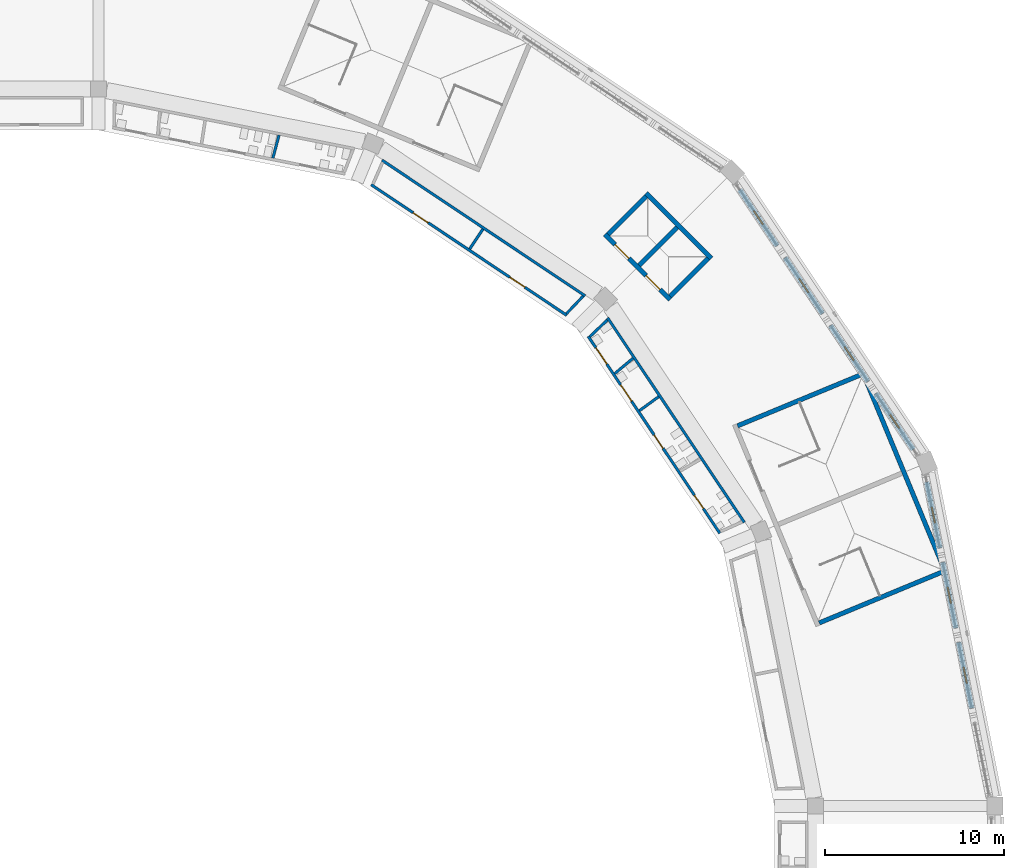
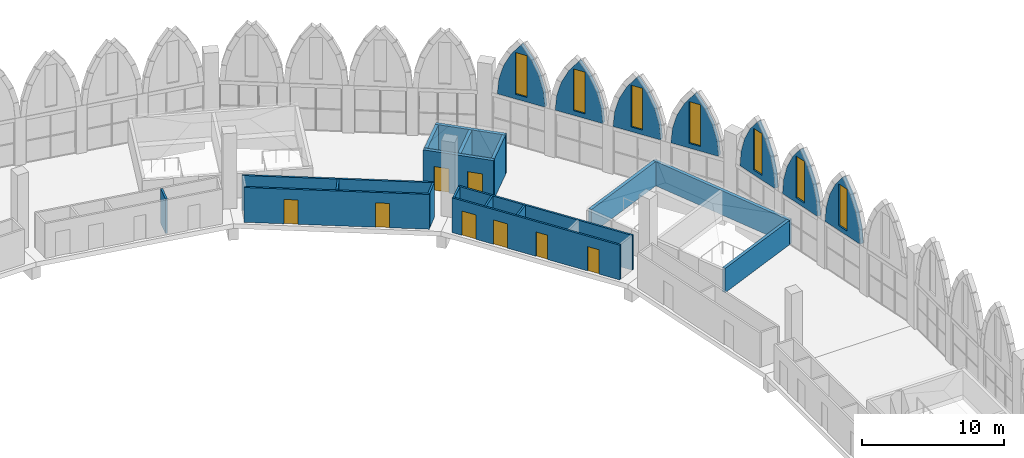
# One storey, part 86 of 130: 25 walls, 8 doors, 7 windows, 15 openings.
"""IFC4 building model written with IfcOpenShell, lengths in metres."""

from ifc_helpers import new_model, si_unit, direction, frame, frame_2d, origin, place, context, subcontext, project, spatial, polyline, rectangle, outline, extrude, material, layer, layer_set, type_object, element, fill, save


model = new_model("IFC4")

# Units and contexts
model_context = context("Model", 3, precision=1e-05, world=origin(), true_north=direction((0.0, 1.0)))
body_context = subcontext(model_context, "Body", "Model", "MODEL_VIEW")
ifc_project = project(units=[si_unit("LENGTHUNIT", "METRE"), si_unit("AREAUNIT", "SQUARE_METRE"), si_unit("VOLUMEUNIT", "CUBIC_METRE"), si_unit("PLANEANGLEUNIT", "RADIAN"), si_unit("MASSUNIT", "GRAM", prefix="KILO")], contexts=[model_context])

# Site, building, storey
site_placement = place(None, origin())
site = spatial("IfcSite", under=ifc_project, at=site_placement, CompositionType="ELEMENT")
building_placement = place(site_placement, origin())
building = spatial("IfcBuilding", under=site, at=building_placement, Name="Ogive Plaza Stadium", CompositionType="ELEMENT")
storey_placement = place(building_placement, frame((0.0, 0.0, 22.5)))
storey = spatial("IfcBuildingStorey", under=building, at=storey_placement, Name="L05", CompositionType="ELEMENT", Elevation=22.5)

# Wall, openings, doors
ifc_material_1 = material(Name="Masonry blockwork", Category="masonry")
ifc_layer_1 = layer(ifc_material_1, 0.14990234375)
ifc_layer_set_1 = layer_set([ifc_layer_1], Name="Blockwork wall 150")
wall_type_1 = type_object("IfcWallType", Name="Blockwork wall 150", PredefinedType="SOLIDWALL", material=ifc_layer_set_1)
wall_1_placement = place(storey_placement, frame((49.214599609375, 87.157958984375, 0.0), z_axis=(0.0, 0.0, 1.0), x_axis=(0.831468390799, -0.555572061125, 0.0)))
wall_1 = element("IfcWall", 1, at=wall_1_placement, inside=storey, type_object=wall_type_1, Name="Wall L05 B38", PredefinedType="SOLIDWALL", context=body_context, shape_type="SweptSolid", body=[
    extrude(rectangle(XDim=13.11328125, YDim=0.14990234375, at=frame_2d((6.556640625, 0.0))), origin(), (0.0, 0.0, 1.0), 3.0),
])
opening_1_placement = place(wall_1_placement, frame((2.81494140625, 0.0, 0.0)))
opening_1 = element("IfcOpeningElement", 2, at=opening_1_placement, cuts=wall_1, Name="Opening D1029", PredefinedType="OPENING", context=body_context, shape_type="SweptSolid", body=[
    extrude(rectangle(XDim=1.0, YDim=2.10009765625, at=frame_2d((0.5, 1.050048828125))), frame((0.0, 0.074951171875, 0.0), z_axis=(0.0, -1.0, 0.0), x_axis=(1.0, 0.0, 0.0)), (0.0, 0.0, 1.0), 0.14990234375),
])
opening_2_placement = place(wall_1_placement, frame((9.298095703125, 0.0, 0.0)))
opening_2 = element("IfcOpeningElement", 3, at=opening_2_placement, cuts=wall_1, Name="Opening D1030", PredefinedType="OPENING", context=body_context, shape_type="SweptSolid", body=[
    extrude(rectangle(XDim=1.0, YDim=2.10009765625, at=frame_2d((0.5, 1.050048828125))), frame((0.0, 0.074951171875, 0.0), z_axis=(0.0, -1.0, 0.0), x_axis=(1.0, 0.0, 0.0)), (0.0, 0.0, 1.0), 0.14990234375),
])
ifc_material_2 = material(Name="Steel ASTM A572 Grade 50", Category="steel")
door_type_1 = type_object("IfcDoorType", Name="Door 1000 x 2100", OperationType="SINGLE_SWING_LEFT", PredefinedType="DOOR", material=ifc_material_2)
door_1_placement = place(opening_1_placement, origin())
door_1 = element("IfcDoor", 4, at=door_1_placement, inside=storey, type_object=door_type_1, Name="Concession Stand B38 door", OperationType="SINGLE_SWING_LEFT", OverallHeight=2.10009765625, OverallWidth=1.0, PredefinedType="DOOR", context=body_context, shape_type="SweptSolid", body=[
    extrude(rectangle(XDim=1.0, YDim=2.10009765625, at=frame_2d((0.5, 1.050048828125))), frame((0.0, 0.02490234375, 0.0), z_axis=(0.0, -1.0, 0.0), x_axis=(1.0, 0.0, 0.0)), (0.0, 0.0, 1.0), 0.050048828125),
])
fill(opening_1, door_1)
door_2_placement = place(opening_2_placement, origin())
door_2 = element("IfcDoor", 5, at=door_2_placement, inside=storey, type_object=door_type_1, Name="Concession Stand B38 door", OperationType="SINGLE_SWING_RIGHT", OverallHeight=2.10009765625, OverallWidth=1.0, PredefinedType="DOOR", context=body_context, shape_type="SweptSolid", body=[
    extrude(rectangle(XDim=1.0, YDim=2.10009765625, at=frame_2d((0.5, 1.050048828125))), frame((0.0, 0.02490234375, 0.0), z_axis=(0.0, -1.0, 0.0), x_axis=(1.0, 0.0, 0.0)), (0.0, 0.0, 1.0), 0.050048828125),
])
fill(opening_2, door_2)

# Walls
wall_2_placement = place(storey_placement, frame((49.815185546875, 88.526123046875, 0.0), z_axis=(0.0, 0.0, 1.0), x_axis=(0.831462899962, -0.555580278616, 0.0)))
element("IfcWall", 6, at=wall_2_placement, inside=storey, type_object=wall_type_1, Name="Wall L05 B38", PredefinedType="SOLIDWALL", context=body_context, shape_type="SweptSolid", body=[
    extrude(rectangle(XDim=13.630859375, YDim=0.14990234375, at=frame_2d((6.8154296875, 0.0))), origin(), (0.0, 0.0, 1.0), 3.0),
])
wall_3_placement = place(storey_placement, frame((54.70703125, 83.576416015625, 0.0), z_axis=(0.0, 0.0, 1.0), x_axis=(0.554402331293, 0.832248793966, 0.0)))
element("IfcWall", 7, at=wall_3_placement, inside=storey, type_object=wall_type_1, Name="Wall L05 B38", PredefinedType="SOLIDWALL", context=body_context, shape_type="SweptSolid", body=[
    extrude(rectangle(XDim=1.32421875, YDim=0.14990234375, at=frame_2d((0.662109375, 0.0))), origin(), (0.0, 0.0, 1.0), 3.0),
])
wall_4_placement = place(storey_placement, frame((60.108154296875, 79.967529296875, 0.0), z_axis=(0.0, 0.0, 1.0), x_axis=(0.688797211472, 0.724954068523, 0.0)))
element("IfcWall", 8, at=wall_4_placement, inside=storey, type_object=wall_type_1, Name="Wall L05 B38", PredefinedType="SOLIDWALL", context=body_context, shape_type="SweptSolid", body=[
    extrude(rectangle(XDim=1.34375, YDim=0.14990234375, at=frame_2d((0.671875, 0.0))), origin(), (0.0, 0.0, 1.0), 3.0),
])
ifc_material_3 = material(Name="Concrete C40/50", Category="concrete")
ifc_layer_2 = layer(ifc_material_3, 0.25)
ifc_layer_set_2 = layer_set([ifc_layer_2], Name="Concrete C40/50")
wall_type_2 = type_object("IfcWallType", Name="Core wall 250", PredefinedType="SHEAR", material=ifc_layer_set_2)
wall_5_placement = place(storey_placement, frame((81.257568359375, 65.499267578125, 0.0), z_axis=(0.0, 0.0, 1.0), x_axis=(-0.382671234792, 0.923884584817, 0.0)))
element("IfcWall", 9, at=wall_5_placement, inside=storey, type_object=wall_type_2, Name="Stair core R40 outer wall", PredefinedType="SHEAR", context=body_context, shape_type="SweptSolid", body=[
    extrude(rectangle(XDim=12.14990234375, YDim=0.25, at=frame_2d((6.074951171875, 0.0))), origin(), (0.0, 0.0, 1.0), 2.10009765625),
])
for number, where, z_axis, x_axis, name in (
    (10, (74.2021484375, 62.712158203125, 0.0), (0.0, 0.0, 1.0), (0.923887204407, 0.382664910245, 0.0), "Stair core R40 side wall"),
    (11, (69.648193359375, 73.706298828125, 0.0), (0.0, 0.0, 1.0), (0.923887204407, 0.382664910245, 0.0), "Stair core R40 side wall"),
):
    element("IfcWall", number, at=place(storey_placement, frame(where, z_axis=z_axis, x_axis=x_axis)), inside=storey, type_object=wall_type_2, Name=name, PredefinedType="SHEAR", context=body_context, shape_type="SweptSolid", body=[
        extrude(rectangle(XDim=7.460205078125, YDim=0.25, at=frame_2d((3.72998046875, 0.0))), origin(), (0.0, 0.0, 1.0), 2.10009765625),
    ])

# Wall, openings, doors
ifc_material_4 = material(Name="Concrete C40/50", Category="concrete")
ifc_layer_3 = layer(ifc_material_4, 0.25)
ifc_layer_set_3 = layer_set([ifc_layer_3], Name="Concrete C40/50")
wall_type_3 = type_object("IfcWallType", Name="Core wall 250 A", PredefinedType="SHEAR", material=ifc_layer_set_3)
wall_6_placement = place(storey_placement, frame((65.890625, 80.7490234375, 0.0), z_axis=(0.0, 0.0, 1.0), x_axis=(-0.707106781187, 0.707106781187, 0.0)))
wall_6 = element("IfcWall", 12, at=wall_6_placement, inside=storey, type_object=wall_type_3, Name="Lift core LP39 landing wall", PredefinedType="SHEAR", context=body_context, shape_type="SweptSolid", body=[
    extrude(rectangle(XDim=5.14990234375, YDim=0.25, at=frame_2d((2.574951171875, 0.0))), origin(), (0.0, 0.0, 1.0), 3.39990234375),
])
opening_3_placement = place(wall_6_placement, frame((0.800048828125, 0.0, 0.0)))
opening_3 = element("IfcOpeningElement", 13, at=opening_3_placement, cuts=wall_6, Name="Opening LD103", PredefinedType="OPENING", context=body_context, shape_type="SweptSolid", body=[
    extrude(rectangle(XDim=1.10009765625, YDim=2.10009765625, at=frame_2d((0.550048828125, 1.050048828125))), frame((0.0, 0.125, 0.0), z_axis=(0.0, -1.0, 0.0), x_axis=(1.0, 0.0, 0.0)), (0.0, 0.0, 1.0), 0.25),
])
opening_4_placement = place(wall_6_placement, frame((3.25, 0.0, 0.0)))
opening_4 = element("IfcOpeningElement", 14, at=opening_4_placement, cuts=wall_6, Name="Opening LD104", PredefinedType="OPENING", context=body_context, shape_type="SweptSolid", body=[
    extrude(rectangle(XDim=1.10009765625, YDim=2.10009765625, at=frame_2d((0.550048828125, 1.050048828125))), frame((0.0, 0.125, 0.0), z_axis=(0.0, -1.0, 0.0), x_axis=(1.0, 0.0, 0.0)), (0.0, 0.0, 1.0), 0.25),
])
ifc_material_5 = material(Name="Steel ASTM A572 Grade 50", Category="steel")
door_type_2 = type_object("IfcDoorType", Name="Landing door 1100 x 2100", OperationType="SLIDING_TO_LEFT", PredefinedType="DOOR", material=ifc_material_5)
door_3_placement = place(opening_3_placement, origin())
door_3 = element("IfcDoor", 15, at=door_3_placement, inside=storey, type_object=door_type_2, Name="Lift landing door LP39 L05", OperationType="SLIDING_TO_LEFT", OverallHeight=2.10009765625, OverallWidth=1.10009765625, PredefinedType="DOOR", context=body_context, shape_type="SweptSolid", body=[
    extrude(rectangle(XDim=1.10009765625, YDim=2.10009765625, at=frame_2d((0.550048828125, 1.050048828125))), frame((0.0, 0.02490234375, 0.0), z_axis=(0.0, -1.0, 0.0), x_axis=(1.0, 0.0, 0.0)), (0.0, 0.0, 1.0), 0.050048828125),
])
fill(opening_3, door_3)
door_4_placement = place(opening_4_placement, origin())
door_4 = element("IfcDoor", 16, at=door_4_placement, inside=storey, type_object=door_type_2, Name="Lift landing door LP39 L05", OperationType="SLIDING_TO_LEFT", OverallHeight=2.10009765625, OverallWidth=1.10009765625, PredefinedType="DOOR", context=body_context, shape_type="SweptSolid", body=[
    extrude(rectangle(XDim=1.10009765625, YDim=2.10009765625, at=frame_2d((0.550048828125, 1.050048828125))), frame((0.0, 0.02490234375, 0.0), z_axis=(0.0, -1.0, 0.0), x_axis=(1.0, 0.0, 0.0)), (0.0, 0.0, 1.0), 0.050048828125),
])
fill(opening_4, door_4)

# Walls
wall_7_placement = place(storey_placement, frame((68.188720703125, 83.047119140625, 0.0), z_axis=(0.0, 0.0, 1.0), x_axis=(-0.707106781187, 0.707106781187, 0.0)))
element("IfcWall", 17, at=wall_7_placement, inside=storey, type_object=wall_type_3, Name="Lift core LP39 rear wall", PredefinedType="SHEAR", context=body_context, shape_type="SweptSolid", body=[
    extrude(rectangle(XDim=5.14990234375, YDim=0.25, at=frame_2d((2.574951171875, 0.0))), origin(), (0.0, 0.0, 1.0), 3.39990234375),
])
for number, where, z_axis, x_axis, name in (
    (18, (65.890625, 80.92578125, 0.0), (0.0, 0.0, 1.0), (0.707066087907, 0.707147472125, 0.0), "Lift core LP39 side wall"),
    (19, (62.42578125, 84.390625, 0.0), (0.0, 0.0, 1.0), (0.707147472125, 0.707066087907, 0.0), "Lift core LP39 side wall"),
):
    element("IfcWall", number, at=place(storey_placement, frame(where, z_axis=z_axis, x_axis=x_axis)), inside=storey, type_object=wall_type_3, Name=name, PredefinedType="SHEAR", context=body_context, shape_type="SweptSolid", body=[
        extrude(rectangle(XDim=2.999755859375, YDim=0.25, at=frame_2d((1.5, 0.0))), origin(), (0.0, 0.0, 1.0), 3.39990234375),
    ])
wall_8_placement = place(storey_placement, frame((64.158203125, 82.658203125, 0.0), z_axis=(0.0, 0.0, 1.0), x_axis=(0.707106781187, 0.707106781187, 0.0)))
element("IfcWall", 20, at=wall_8_placement, inside=storey, type_object=wall_type_3, Name="Lift core LP39 centre wall", PredefinedType="SHEAR", context=body_context, shape_type="SweptSolid", body=[
    extrude(rectangle(XDim=3.0, YDim=0.25, at=frame_2d((1.5, 0.0))), origin(), (0.0, 0.0, 1.0), 3.39990234375),
])
ifc_material_6 = material(Name="Gypsum board partition", Category="gypsum")
ifc_layer_4 = layer(ifc_material_6, 0.14990234375)
ifc_layer_set_4 = layer_set([ifc_layer_4], Name="Partition 150")
wall_type_4 = type_object("IfcWallType", Name="Partition 150", PredefinedType="PARTITIONING", material=ifc_layer_set_4)
wall_9_placement = place(storey_placement, frame((43.72412109375, 88.640625, 0.0), z_axis=(0.0, 0.0, 1.0), x_axis=(0.259768941127, 0.965670801684, 0.0)))
element("IfcWall", 21, at=wall_9_placement, inside=storey, type_object=wall_type_4, Name="Wall L05 B37", PredefinedType="PARTITIONING", context=body_context, shape_type="SweptSolid", body=[
    extrude(rectangle(XDim=1.3271484375, YDim=0.14990234375, at=frame_2d((0.66357421875, 0.0))), origin(), (0.0, 0.0, 1.0), 3.0),
])

# Wall, openings, doors
wall_10_placement = place(storey_placement, frame((68.657958984375, 67.714599609375, 0.0), z_axis=(0.0, 0.0, 1.0), x_axis=(-0.555570028225, 0.831469749142, 0.0)))
wall_10 = element("IfcWall", 22, at=wall_10_placement, inside=storey, type_object=wall_type_4, Name="Wall L05 B39", PredefinedType="PARTITIONING", context=body_context, shape_type="SweptSolid", body=[
    extrude(rectangle(XDim=13.208740234375, YDim=0.14990234375, at=frame_2d((6.6044921875, 0.0))), origin(), (0.0, 0.0, 1.0), 3.0),
])
opening_5_placement = place(wall_10_placement, frame((1.648193359375, 0.0, 0.0)))
opening_5 = element("IfcOpeningElement", 23, at=opening_5_placement, cuts=wall_10, Name="Opening D1031", PredefinedType="OPENING", context=body_context, shape_type="SweptSolid", body=[
    extrude(rectangle(XDim=0.89990234375, YDim=2.10009765625, at=frame_2d((0.449951171875, 1.050048828125))), frame((0.0, 0.074951171875, 0.0), z_axis=(0.0, -1.0, 0.0), x_axis=(1.0, 0.0, 0.0)), (0.0, 0.0, 1.0), 0.14990234375),
])
opening_6_placement = place(wall_10_placement, frame((5.697265625, 0.0, 0.0)))
opening_6 = element("IfcOpeningElement", 24, at=opening_6_placement, cuts=wall_10, Name="Opening D1032", PredefinedType="OPENING", context=body_context, shape_type="SweptSolid", body=[
    extrude(rectangle(XDim=0.89990234375, YDim=2.10009765625, at=frame_2d((0.449951171875, 1.050048828125))), frame((0.0, 0.074951171875, 0.0), z_axis=(0.0, -1.0, 0.0), x_axis=(1.0, 0.0, 0.0)), (0.0, 0.0, 1.0), 0.14990234375),
])
opening_7_placement = place(wall_10_placement, frame((8.862548828125, 0.0, 0.0)))
opening_7 = element("IfcOpeningElement", 25, at=opening_7_placement, cuts=wall_10, Name="Opening D1033", PredefinedType="OPENING", context=body_context, shape_type="SweptSolid", body=[
    extrude(rectangle(XDim=1.10009765625, YDim=2.10009765625, at=frame_2d((0.550048828125, 1.050048828125))), frame((0.0, 0.074951171875, 0.0), z_axis=(0.0, -1.0, 0.0), x_axis=(1.0, 0.0, 0.0)), (0.0, 0.0, 1.0), 0.14990234375),
])
opening_8_placement = place(wall_10_placement, frame((11.344482421875, 0.0, 0.0)))
opening_8 = element("IfcOpeningElement", 26, at=opening_8_placement, cuts=wall_10, Name="Opening D1034", PredefinedType="OPENING", context=body_context, shape_type="SweptSolid", body=[
    extrude(rectangle(XDim=1.10009765625, YDim=2.10009765625, at=frame_2d((0.550048828125, 1.050048828125))), frame((0.0, 0.074951171875, 0.0), z_axis=(0.0, -1.0, 0.0), x_axis=(1.0, 0.0, 0.0)), (0.0, 0.0, 1.0), 0.14990234375),
])
ifc_material_7 = material(Name="Steel ASTM A572 Grade 50", Category="steel")
door_type_3 = type_object("IfcDoorType", Name="Accessible door 1100 x 2100", OperationType="SINGLE_SWING_LEFT", PredefinedType="DOOR", material=ifc_material_7)
door_5_placement = place(opening_7_placement, origin())
door_5 = element("IfcDoor", 27, at=door_5_placement, inside=storey, type_object=door_type_3, Name="Accessible WC B39 door", OperationType="SINGLE_SWING_LEFT", OverallHeight=2.10009765625, OverallWidth=1.10009765625, PredefinedType="DOOR", context=body_context, shape_type="SweptSolid", body=[
    extrude(rectangle(XDim=1.10009765625, YDim=2.10009765625, at=frame_2d((0.550048828125, 1.050048828125))), frame((0.0, 0.02490234375, 0.0), z_axis=(0.0, -1.0, 0.0), x_axis=(1.0, 0.0, 0.0)), (0.0, 0.0, 1.0), 0.050048828125),
])
fill(opening_7, door_5)
door_6_placement = place(opening_8_placement, origin())
door_6 = element("IfcDoor", 28, at=door_6_placement, inside=storey, type_object=door_type_3, Name="Family WC B39 door", OperationType="SINGLE_SWING_LEFT", OverallHeight=2.10009765625, OverallWidth=1.10009765625, PredefinedType="DOOR", context=body_context, shape_type="SweptSolid", body=[
    extrude(rectangle(XDim=1.10009765625, YDim=2.10009765625, at=frame_2d((0.550048828125, 1.050048828125))), frame((0.0, 0.02490234375, 0.0), z_axis=(0.0, -1.0, 0.0), x_axis=(1.0, 0.0, 0.0)), (0.0, 0.0, 1.0), 0.050048828125),
])
fill(opening_8, door_6)
ifc_material_8 = material(Name="Steel ASTM A572 Grade 50", Category="steel")
door_type_4 = type_object("IfcDoorType", Name="Door 900 x 2100", OperationType="SINGLE_SWING_LEFT", PredefinedType="DOOR", material=ifc_material_8)
door_7_placement = place(opening_5_placement, origin())
door_7 = element("IfcDoor", 29, at=door_7_placement, inside=storey, type_object=door_type_4, Name="Men's Toilet B39 door", OperationType="SINGLE_SWING_RIGHT", OverallHeight=2.10009765625, OverallWidth=0.89990234375, PredefinedType="DOOR", context=body_context, shape_type="SweptSolid", body=[
    extrude(rectangle(XDim=0.89990234375, YDim=2.10009765625, at=frame_2d((0.449951171875, 1.050048828125))), frame((0.0, 0.02490234375, 0.0), z_axis=(0.0, -1.0, 0.0), x_axis=(1.0, 0.0, 0.0)), (0.0, 0.0, 1.0), 0.050048828125),
])
fill(opening_5, door_7)
door_8_placement = place(opening_6_placement, origin())
door_8 = element("IfcDoor", 30, at=door_8_placement, inside=storey, type_object=door_type_4, Name="Women's Toilet B39 door", OperationType="SINGLE_SWING_LEFT", OverallHeight=2.10009765625, OverallWidth=0.89990234375, PredefinedType="DOOR", context=body_context, shape_type="SweptSolid", body=[
    extrude(rectangle(XDim=0.89990234375, YDim=2.10009765625, at=frame_2d((0.449951171875, 1.050048828125))), frame((0.0, 0.02490234375, 0.0), z_axis=(0.0, -1.0, 0.0), x_axis=(1.0, 0.0, 0.0)), (0.0, 0.0, 1.0), 0.050048828125),
])
fill(opening_6, door_8)

# Walls
wall_11_placement = place(storey_placement, frame((70.026123046875, 68.315185546875, 0.0), z_axis=(0.0, 0.0, 1.0), x_axis=(-0.555573905052, 0.831467158717, 0.0)))
element("IfcWall", 31, at=wall_11_placement, inside=storey, type_object=wall_type_4, Name="Wall L05 B39", PredefinedType="PARTITIONING", context=body_context, shape_type="SweptSolid", body=[
    extrude(rectangle(XDim=13.730224609375, YDim=0.14990234375, at=frame_2d((6.865234375, 0.0))), origin(), (0.0, 0.0, 1.0), 3.0),
])
wall_12_placement = place(storey_placement, frame((64.177490234375, 74.552734375, 0.0), z_axis=(0.0, 0.0, 1.0), x_axis=(0.807323605105, 0.59010897014, 0.0)))
element("IfcWall", 32, at=wall_12_placement, inside=storey, type_object=wall_type_4, Name="Wall L05 B39", PredefinedType="PARTITIONING", context=body_context, shape_type="SweptSolid", body=[
    extrude(rectangle(XDim=1.3251953125, YDim=0.14990234375, at=frame_2d((0.66259765625, 0.0))), origin(), (0.0, 0.0, 1.0), 3.0),
])
wall_13_placement = place(storey_placement, frame((62.7958984375, 76.620361328125, 0.0), z_axis=(0.0, 0.0, 1.0), x_axis=(0.766596080784, 0.642129620035, 0.0)))
element("IfcWall", 33, at=wall_13_placement, inside=storey, type_object=wall_type_4, Name="Wall L05 B39", PredefinedType="PARTITIONING", context=body_context, shape_type="SweptSolid", body=[
    extrude(rectangle(XDim=1.331787109375, YDim=0.14990234375, at=frame_2d((0.666015625, 0.0))), origin(), (0.0, 0.0, 1.0), 3.0),
])
wall_14_placement = place(storey_placement, frame((61.414306640625, 78.687744140625, 0.0), z_axis=(0.0, 0.0, 1.0), x_axis=(0.723174104738, 0.690665776072, 0.0)))
element("IfcWall", 34, at=wall_14_placement, inside=storey, type_object=wall_type_4, Name="Wall L05 B39", PredefinedType="PARTITIONING", context=body_context, shape_type="SweptSolid", body=[
    extrude(rectangle(XDim=1.34423828125, YDim=0.14990234375, at=frame_2d((0.672119140625, 0.0))), origin(), (0.0, 0.0, 1.0), 3.0),
])

# Wall, opening, window
ifc_material_9 = material(Name="Concrete C45/55 precast", Category="concrete")
ifc_layer_5 = layer(ifc_material_9, 0.25)
ifc_material_10 = material(Name="Cast stone (reconstituted limestone)", Category="masonry")
ifc_layer_6 = layer(ifc_material_10, 0.050048828125)
ifc_layer_set_5 = layer_set([ifc_layer_5, ifc_layer_6], Name="Concrete C45/55 precast, cast stone facing")
wall_type_5 = type_object("IfcWallType", Name="Tympanum wall 300", PredefinedType="SOLIDWALL", material=ifc_layer_set_5)
wall_15_placement = place(storey_placement, frame((69.76708984375, 86.879150390625, 4.10009765625), z_axis=(0.0, 0.0, 1.0), x_axis=(0.555554703021, -0.831479988906, 0.0)))
wall_15 = element("IfcWall", 35, at=wall_15_placement, inside=storey, type_object=wall_type_5, Name="TYMPANUM B39 1", PredefinedType="SOLIDWALL", context=body_context, shape_type="SweptSolid", body=[
    extrude(outline(polyline([(0.0, 0.0), (3.7568359375, 0.0), (3.757080078125, 0.0498046875), (3.634521484375, 1.311279296875), (3.270751953125, 2.5771484375), (2.678466796875, 3.753662109375), (1.878662109375, 4.7998046875), (1.07861328125, 3.753662109375), (0.486328125, 2.5771484375), (0.12255859375, 1.311279296875), (0.0, 0.0498046875), (0.0, 0.0)])), frame((0.0, 0.14990234375, 0.0), z_axis=(0.0, -1.0, 0.0), x_axis=(1.0, 0.0, 0.0)), (0.0, 0.0, 1.0), 0.300048828125),
])
opening_9_placement = place(wall_15_placement, frame((1.428466796875, 0.0, 0.39990234375)))
opening_9 = element("IfcOpeningElement", 36, at=opening_9_placement, cuts=wall_15, Name="Opening W-39-1", PredefinedType="OPENING", context=body_context, shape_type="SweptSolid", body=[
    extrude(rectangle(XDim=0.89990234375, YDim=3.60009765625, at=frame_2d((0.449951171875, 1.800048828125))), frame((0.0, 0.16015625, 0.0), z_axis=(0.0, -1.0, 0.0), x_axis=(1.0, 0.0, 0.0)), (0.0, 0.0, 1.0), 0.320068359375),
])
ifc_material_11 = material(Name="Bronze-anodised aluminium and laminated glass", Category="aluminium")
window_type = type_object("IfcWindowType", Name="Lancet window 900 x 3600", PartitioningType="SINGLE_PANEL", PredefinedType="WINDOW", material=ifc_material_11)
window_1_placement = place(opening_9_placement, origin())
window_1 = element("IfcWindow", 37, at=window_1_placement, inside=storey, type_object=window_type, Name="LANCET WINDOW B39 1", OverallHeight=3.60009765625, OverallWidth=0.89990234375, PartitioningType="SINGLE_PANEL", PredefinedType="WINDOW", context=body_context, shape_type="SweptSolid", body=[
    extrude(rectangle(XDim=0.89990234375, YDim=3.60009765625, at=frame_2d((0.449951171875, 1.800048828125))), frame((0.0, 0.030029296875, 0.0), z_axis=(0.0, -1.0, 0.0), x_axis=(1.0, 0.0, 0.0)), (0.0, 0.0, 1.0), 0.06005859375),
])
fill(opening_9, window_1)

wall_16_placement = place(storey_placement, frame((72.298828125, 83.090087890625, 4.10009765625), z_axis=(0.0, 0.0, 1.0), x_axis=(0.555599628384, -0.831449970196, 0.0)))
wall_16 = element("IfcWall", 38, at=wall_16_placement, inside=storey, type_object=wall_type_5, Name="TYMPANUM B39 2", PredefinedType="SOLIDWALL", context=body_context, shape_type="SweptSolid", body=[
    extrude(outline(polyline([(0.0, 0.0), (3.757080078125, 0.0), (3.757080078125, 0.0498046875), (3.634521484375, 1.311279296875), (3.270751953125, 2.5771484375), (2.678466796875, 3.753662109375), (1.878662109375, 4.7998046875), (1.07861328125, 3.753662109375), (0.486328125, 2.5771484375), (0.12255859375, 1.311279296875), (0.0, 0.0498046875), (0.0, 0.0)])), frame((0.0, 0.14990234375, 0.0), z_axis=(0.0, -1.0, 0.0), x_axis=(1.0, 0.0, 0.0)), (0.0, 0.0, 1.0), 0.300048828125),
])
opening_10_placement = place(wall_16_placement, frame((1.428466796875, 0.0, 0.39990234375)))
opening_10 = element("IfcOpeningElement", 39, at=opening_10_placement, cuts=wall_16, Name="Opening W-39-2", PredefinedType="OPENING", context=body_context, shape_type="SweptSolid", body=[
    extrude(rectangle(XDim=0.89990234375, YDim=3.60009765625, at=frame_2d((0.449951171875, 1.800048828125))), frame((0.0, 0.16015625, 0.0), z_axis=(0.0, -1.0, 0.0), x_axis=(1.0, 0.0, 0.0)), (0.0, 0.0, 1.0), 0.320068359375),
])
window_2_placement = place(opening_10_placement, origin())
window_2 = element("IfcWindow", 40, at=window_2_placement, inside=storey, type_object=window_type, Name="LANCET WINDOW B39 2", OverallHeight=3.60009765625, OverallWidth=0.89990234375, PartitioningType="SINGLE_PANEL", PredefinedType="WINDOW", context=body_context, shape_type="SweptSolid", body=[
    extrude(rectangle(XDim=0.89990234375, YDim=3.60009765625, at=frame_2d((0.449951171875, 1.800048828125))), frame((0.0, 0.030029296875, 0.0), z_axis=(0.0, -1.0, 0.0), x_axis=(1.0, 0.0, 0.0)), (0.0, 0.0, 1.0), 0.06005859375),
])
fill(opening_10, window_2)

wall_17_placement = place(storey_placement, frame((74.83056640625, 79.301025390625, 4.10009765625), z_axis=(0.0, 0.0, 1.0), x_axis=(0.555599628384, -0.831449970196, 0.0)))
wall_17 = element("IfcWall", 41, at=wall_17_placement, inside=storey, type_object=wall_type_5, Name="TYMPANUM B39 3", PredefinedType="SOLIDWALL", context=body_context, shape_type="SweptSolid", body=[
    extrude(outline(polyline([(0.0, 0.0), (3.757080078125, 0.0), (3.757080078125, 0.0498046875), (3.634521484375, 1.311279296875), (3.270751953125, 2.5771484375), (2.678466796875, 3.753662109375), (1.878662109375, 4.7998046875), (1.07861328125, 3.753662109375), (0.486328125, 2.5771484375), (0.12255859375, 1.311279296875), (0.0, 0.0498046875), (0.0, 0.0)])), frame((0.0, 0.14990234375, 0.0), z_axis=(0.0, -1.0, 0.0), x_axis=(1.0, 0.0, 0.0)), (0.0, 0.0, 1.0), 0.300048828125),
])
opening_11_placement = place(wall_17_placement, frame((1.428466796875, 0.0, 0.39990234375)))
opening_11 = element("IfcOpeningElement", 42, at=opening_11_placement, cuts=wall_17, Name="Opening W-39-3", PredefinedType="OPENING", context=body_context, shape_type="SweptSolid", body=[
    extrude(rectangle(XDim=0.89990234375, YDim=3.60009765625, at=frame_2d((0.449951171875, 1.800048828125))), frame((0.0, 0.16015625, 0.0), z_axis=(0.0, -1.0, 0.0), x_axis=(1.0, 0.0, 0.0)), (0.0, 0.0, 1.0), 0.320068359375),
])
window_3_placement = place(opening_11_placement, origin())
window_3 = element("IfcWindow", 43, at=window_3_placement, inside=storey, type_object=window_type, Name="LANCET WINDOW B39 3", OverallHeight=3.60009765625, OverallWidth=0.89990234375, PartitioningType="SINGLE_PANEL", PredefinedType="WINDOW", context=body_context, shape_type="SweptSolid", body=[
    extrude(rectangle(XDim=0.89990234375, YDim=3.60009765625, at=frame_2d((0.449951171875, 1.800048828125))), frame((0.0, 0.030029296875, 0.0), z_axis=(0.0, -1.0, 0.0), x_axis=(1.0, 0.0, 0.0)), (0.0, 0.0, 1.0), 0.06005859375),
])
fill(opening_11, window_3)

wall_18_placement = place(storey_placement, frame((77.3623046875, 75.511962890625, 4.10009765625), z_axis=(0.0, 0.0, 1.0), x_axis=(0.555599628384, -0.831449970196, 0.0)))
wall_18 = element("IfcWall", 44, at=wall_18_placement, inside=storey, type_object=wall_type_5, Name="TYMPANUM B39 4", PredefinedType="SOLIDWALL", context=body_context, shape_type="SweptSolid", body=[
    extrude(outline(polyline([(0.0, 0.0), (3.757080078125, 0.0), (3.757080078125, 0.0498046875), (3.634521484375, 1.311279296875), (3.270751953125, 2.5771484375), (2.678466796875, 3.753662109375), (1.878662109375, 4.7998046875), (1.07861328125, 3.753662109375), (0.486328125, 2.5771484375), (0.12255859375, 1.311279296875), (0.0, 0.0498046875), (0.0, 0.0)])), frame((0.0, 0.14990234375, 0.0), z_axis=(0.0, -1.0, 0.0), x_axis=(1.0, 0.0, 0.0)), (0.0, 0.0, 1.0), 0.300048828125),
])
opening_12_placement = place(wall_18_placement, frame((1.428466796875, 0.0, 0.39990234375)))
opening_12 = element("IfcOpeningElement", 45, at=opening_12_placement, cuts=wall_18, Name="Opening W-39-4", PredefinedType="OPENING", context=body_context, shape_type="SweptSolid", body=[
    extrude(rectangle(XDim=0.89990234375, YDim=3.60009765625, at=frame_2d((0.449951171875, 1.800048828125))), frame((0.0, 0.16015625, 0.0), z_axis=(0.0, -1.0, 0.0), x_axis=(1.0, 0.0, 0.0)), (0.0, 0.0, 1.0), 0.320068359375),
])
window_4_placement = place(opening_12_placement, origin())
window_4 = element("IfcWindow", 46, at=window_4_placement, inside=storey, type_object=window_type, Name="LANCET WINDOW B39 4", OverallHeight=3.60009765625, OverallWidth=0.89990234375, PartitioningType="SINGLE_PANEL", PredefinedType="WINDOW", context=body_context, shape_type="SweptSolid", body=[
    extrude(rectangle(XDim=0.89990234375, YDim=3.60009765625, at=frame_2d((0.449951171875, 1.800048828125))), frame((0.0, 0.030029296875, 0.0), z_axis=(0.0, -1.0, 0.0), x_axis=(1.0, 0.0, 0.0)), (0.0, 0.0, 1.0), 0.06005859375),
])
fill(opening_12, window_4)

wall_19_placement = place(storey_placement, frame((80.20068359375, 70.57470703125, 4.10009765625), z_axis=(0.0, 0.0, 1.0), x_axis=(0.195141306446, -0.980775137592, 0.0)))
wall_19 = element("IfcWall", 47, at=wall_19_placement, inside=storey, type_object=wall_type_5, Name="TYMPANUM B40 1", PredefinedType="SOLIDWALL", context=body_context, shape_type="SweptSolid", body=[
    extrude(outline(polyline([(0.0, 0.0), (3.757080078125, 0.0), (3.757080078125, 0.0498046875), (3.634521484375, 1.311279296875), (3.270751953125, 2.5771484375), (2.678466796875, 3.753662109375), (1.878662109375, 4.7998046875), (1.07861328125, 3.753662109375), (0.486328125, 2.5771484375), (0.12255859375, 1.311279296875), (0.0, 0.0498046875), (0.0, 0.0)])), frame((0.0, 0.14990234375, 0.0), z_axis=(0.0, -1.0, 0.0), x_axis=(1.0, 0.0, 0.0)), (0.0, 0.0, 1.0), 0.300048828125),
])
opening_13_placement = place(wall_19_placement, frame((1.428466796875, 0.0, 0.39990234375)))
opening_13 = element("IfcOpeningElement", 48, at=opening_13_placement, cuts=wall_19, Name="Opening W-40-1", PredefinedType="OPENING", context=body_context, shape_type="SweptSolid", body=[
    extrude(rectangle(XDim=0.89990234375, YDim=3.60009765625, at=frame_2d((0.449951171875, 1.800048828125))), frame((0.0, 0.16015625, 0.0), z_axis=(0.0, -1.0, 0.0), x_axis=(1.0, 0.0, 0.0)), (0.0, 0.0, 1.0), 0.320068359375),
])
window_5_placement = place(opening_13_placement, origin())
window_5 = element("IfcWindow", 49, at=window_5_placement, inside=storey, type_object=window_type, Name="LANCET WINDOW B40 1", OverallHeight=3.60009765625, OverallWidth=0.89990234375, PartitioningType="SINGLE_PANEL", PredefinedType="WINDOW", context=body_context, shape_type="SweptSolid", body=[
    extrude(rectangle(XDim=0.89990234375, YDim=3.60009765625, at=frame_2d((0.449951171875, 1.800048828125))), frame((0.0, 0.030029296875, 0.0), z_axis=(0.0, -1.0, 0.0), x_axis=(1.0, 0.0, 0.0)), (0.0, 0.0, 1.0), 0.06005859375),
])
fill(opening_13, window_5)

wall_20_placement = place(storey_placement, frame((81.08984375, 66.105224609375, 4.10009765625), z_axis=(0.0, 0.0, 1.0), x_axis=(0.195078797665, -0.980787572669, 0.0)))
wall_20 = element("IfcWall", 50, at=wall_20_placement, inside=storey, type_object=wall_type_5, Name="TYMPANUM B40 2", PredefinedType="SOLIDWALL", context=body_context, shape_type="SweptSolid", body=[
    extrude(outline(polyline([(0.0, 0.0), (3.757080078125, 0.0), (3.757080078125, 0.0498046875), (3.634521484375, 1.311279296875), (3.270751953125, 2.5771484375), (2.678466796875, 3.753662109375), (1.878662109375, 4.7998046875), (1.07861328125, 3.753662109375), (0.486328125, 2.5771484375), (0.12255859375, 1.311279296875), (0.0, 0.0498046875), (0.0, 0.0)])), frame((0.0, 0.14990234375, 0.0), z_axis=(0.0, -1.0, 0.0), x_axis=(1.0, 0.0, 0.0)), (0.0, 0.0, 1.0), 0.300048828125),
])
opening_14_placement = place(wall_20_placement, frame((1.428466796875, 0.0, 0.39990234375)))
opening_14 = element("IfcOpeningElement", 51, at=opening_14_placement, cuts=wall_20, Name="Opening W-40-2", PredefinedType="OPENING", context=body_context, shape_type="SweptSolid", body=[
    extrude(rectangle(XDim=0.89990234375, YDim=3.60009765625, at=frame_2d((0.449951171875, 1.800048828125))), frame((0.0, 0.16015625, 0.0), z_axis=(0.0, -1.0, 0.0), x_axis=(1.0, 0.0, 0.0)), (0.0, 0.0, 1.0), 0.320068359375),
])
window_6_placement = place(opening_14_placement, origin())
window_6 = element("IfcWindow", 52, at=window_6_placement, inside=storey, type_object=window_type, Name="LANCET WINDOW B40 2", OverallHeight=3.60009765625, OverallWidth=0.89990234375, PartitioningType="SINGLE_PANEL", PredefinedType="WINDOW", context=body_context, shape_type="SweptSolid", body=[
    extrude(rectangle(XDim=0.89990234375, YDim=3.60009765625, at=frame_2d((0.449951171875, 1.800048828125))), frame((0.0, 0.030029296875, 0.0), z_axis=(0.0, -1.0, 0.0), x_axis=(1.0, 0.0, 0.0)), (0.0, 0.0, 1.0), 0.06005859375),
])
fill(opening_14, window_6)

wall_21_placement = place(storey_placement, frame((81.978759765625, 61.6357421875, 4.10009765625), z_axis=(0.0, 0.0, 1.0), x_axis=(0.195141306446, -0.980775137592, 0.0)))
wall_21 = element("IfcWall", 53, at=wall_21_placement, inside=storey, type_object=wall_type_5, Name="TYMPANUM B40 3", PredefinedType="SOLIDWALL", context=body_context, shape_type="SweptSolid", body=[
    extrude(outline(polyline([(0.0, 0.0), (3.757080078125, 0.0), (3.757080078125, 0.0498046875), (3.634521484375, 1.311279296875), (3.270751953125, 2.5771484375), (2.678466796875, 3.753662109375), (1.878662109375, 4.7998046875), (1.07861328125, 3.753662109375), (0.486328125, 2.5771484375), (0.12255859375, 1.311279296875), (0.0, 0.0498046875), (0.0, 0.0)])), frame((0.0, 0.14990234375, 0.0), z_axis=(0.0, -1.0, 0.0), x_axis=(1.0, 0.0, 0.0)), (0.0, 0.0, 1.0), 0.300048828125),
])
opening_15_placement = place(wall_21_placement, frame((1.428466796875, 0.0, 0.39990234375)))
opening_15 = element("IfcOpeningElement", 54, at=opening_15_placement, cuts=wall_21, Name="Opening W-40-3", PredefinedType="OPENING", context=body_context, shape_type="SweptSolid", body=[
    extrude(rectangle(XDim=0.89990234375, YDim=3.60009765625, at=frame_2d((0.449951171875, 1.800048828125))), frame((0.0, 0.16015625, 0.0), z_axis=(0.0, -1.0, 0.0), x_axis=(1.0, 0.0, 0.0)), (0.0, 0.0, 1.0), 0.320068359375),
])
window_7_placement = place(opening_15_placement, origin())
window_7 = element("IfcWindow", 55, at=window_7_placement, inside=storey, type_object=window_type, Name="LANCET WINDOW B40 3", OverallHeight=3.60009765625, OverallWidth=0.89990234375, PartitioningType="SINGLE_PANEL", PredefinedType="WINDOW", context=body_context, shape_type="SweptSolid", body=[
    extrude(rectangle(XDim=0.89990234375, YDim=3.60009765625, at=frame_2d((0.449951171875, 1.800048828125))), frame((0.0, 0.030029296875, 0.0), z_axis=(0.0, -1.0, 0.0), x_axis=(1.0, 0.0, 0.0)), (0.0, 0.0, 1.0), 0.06005859375),
])
fill(opening_15, window_7)

save(model, "model.ifc")
